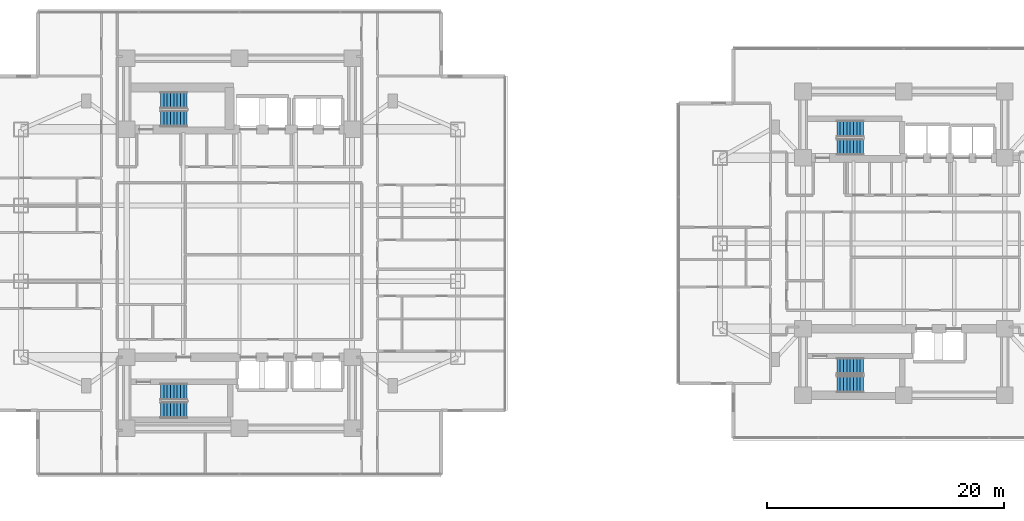
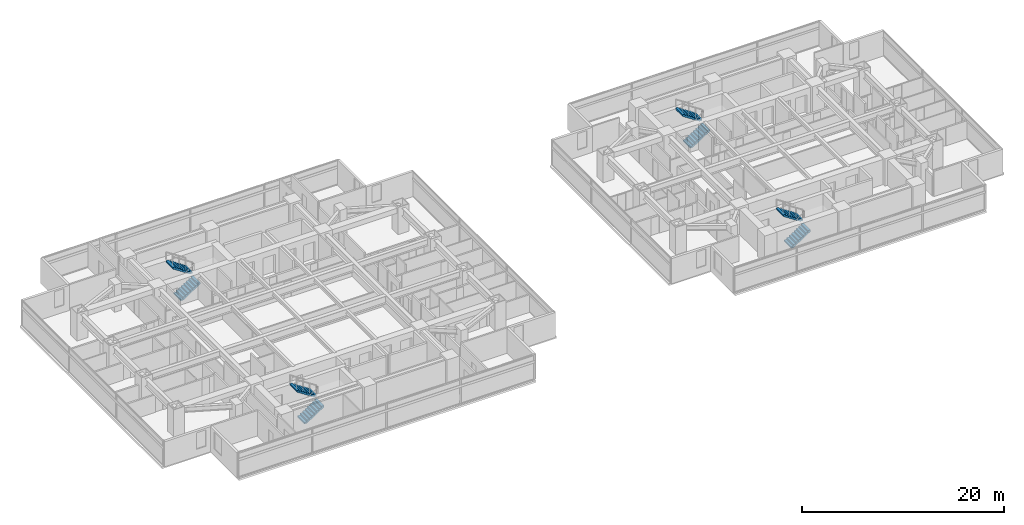
# One storey, part 21 of 26: 8 stair flights, 4 elements without a shape of their own.
"""IFC4 building model written with IfcOpenShell, lengths in metres."""

from ifc_helpers import new_model, si_unit, direction, frame, origin, place, context, subcontext, project, spatial, polyline, outline, extrude, material, type_object, element, aggregate, save


model = new_model("IFC4")

# Units and contexts
model_context = context("Model", 3, precision=1e-05, world=origin(), true_north=direction((0.0, 1.0)))
body_context = subcontext(model_context, "Body", "Model", "MODEL_VIEW")
ifc_project = project(units=[si_unit("LENGTHUNIT", "METRE"), si_unit("AREAUNIT", "SQUARE_METRE"), si_unit("VOLUMEUNIT", "CUBIC_METRE"), si_unit("PLANEANGLEUNIT", "RADIAN"), si_unit("MASSUNIT", "GRAM", prefix="KILO")], contexts=[model_context])

# Site, building, storey
site_placement = place(None, origin())
site = spatial("IfcSite", under=ifc_project, at=site_placement, CompositionType="ELEMENT")
building_placement = place(site_placement, origin())
building = spatial("IfcBuilding", under=site, at=building_placement, Name="Mirazonda Arch Towers", CompositionType="ELEMENT")
storey_placement = place(building_placement, frame((0.0, 0.0, 38.89990234375)))
storey = spatial("IfcBuildingStorey", under=building, at=storey_placement, Name="L10", CompositionType="ELEMENT", Elevation=38.89990234375)

# Stair, stair flights
ifc_material = material(Name="Concrete C40/50", Category="concrete")
stair_type = type_object("IfcStairType", Name="STAIR-CORE-1400", PredefinedType="HALF_TURN_STAIR", material=ifc_material)
stair_1_placement = place(storey_placement, origin())
stair_1 = element("IfcStair", 1, at=stair_1_placement, inside=storey, type_object=stair_type, Name="L10 Protected Exit Stair ST-T1N", PredefinedType="HALF_TURN_STAIR")
stair_flight_type = type_object("IfcStairFlightType", Name="FLIGHT-1400", PredefinedType="STRAIGHT", material=ifc_material)
stair_flight_1_placement = place(storey_placement, frame((13.85009765625, 38.52001953125, 0.0), z_axis=(0.0, 0.0, 1.0), x_axis=(1.0, 0.0, 0.0)))
stair_flight_1 = element("IfcStairFlight", 2, at=stair_flight_1_placement, type_object=stair_flight_type, Name="ST-T1N flight 1", NumberOfRisers=9, NumberOfTreads=8, PredefinedType="STRAIGHT", RiserHeight=0.183333333, TreadLength=0.28, context=body_context, shape_type="SweptSolid", body=[
    extrude(outline(polyline([(0.0, 0.0), (0.0, 0.183349609375), (0.280029296875, 0.183349609375), (0.280029296875, 0.36669921875), (0.56005859375, 0.36669921875), (0.56005859375, 0.550048828125), (0.840087890625, 0.550048828125), (0.840087890625, 0.7333984375), (1.1201171875, 0.7333984375), (1.1201171875, 0.916748046875), (1.39990234375, 0.916748046875), (1.39990234375, 1.10009765625), (1.679931640625, 1.10009765625), (1.679931640625, 1.283447265625), (1.9599609375, 1.283447265625), (1.9599609375, 1.466552734375), (2.239990234375, 1.466552734375), (2.239990234375, 1.64990234375), (2.239990234375, 1.275634765625), (0.2919921875, 0.0), (0.0, 0.0)])), frame((0.0, 0.699951171875, 0.0), z_axis=(0.0, -1.0, 0.0), x_axis=(1.0, 0.0, 0.0)), (0.0, 0.0, 1.0), 1.39990234375),
])
stair_flight_2_placement = place(storey_placement, frame((16.090087890625, 40.06005859375, 1.650146484375), z_axis=(0.0, 0.0, 1.0), x_axis=(-1.0, 0.0, 0.0)))
stair_flight_2 = element("IfcStairFlight", 3, at=stair_flight_2_placement, type_object=stair_flight_type, Name="ST-T1N flight 2", NumberOfRisers=9, NumberOfTreads=8, PredefinedType="STRAIGHT", RiserHeight=0.183333333, TreadLength=0.28, context=body_context, shape_type="SweptSolid", body=[
    extrude(outline(polyline([(0.0, 0.0), (0.0, 0.183349609375), (0.280029296875, 0.183349609375), (0.280029296875, 0.36669921875), (0.56005859375, 0.36669921875), (0.56005859375, 0.550048828125), (0.840087890625, 0.550048828125), (0.840087890625, 0.7333984375), (1.1201171875, 0.7333984375), (1.1201171875, 0.916748046875), (1.39990234375, 0.916748046875), (1.39990234375, 1.10009765625), (1.679931640625, 1.10009765625), (1.679931640625, 1.283447265625), (1.9599609375, 1.283447265625), (1.9599609375, 1.466552734375), (2.239990234375, 1.466552734375), (2.239990234375, 1.64990234375), (2.239990234375, 1.275634765625), (0.2919921875, 0.0), (0.0, 0.0)])), frame((0.0, 0.699951171875, 0.0), z_axis=(0.0, -1.0, 0.0), x_axis=(1.0, 0.0, 0.0)), (0.0, 0.0, 1.0), 1.39990234375),
])
aggregate(stair_1, [stair_flight_1, stair_flight_2])

stair_2_placement = place(storey_placement, origin())
stair_2 = element("IfcStair", 4, at=stair_2_placement, inside=storey, type_object=stair_type, Name="L10 Protected Exit Stair ST-T1S", PredefinedType="HALF_TURN_STAIR")
stair_flight_3_placement = place(storey_placement, frame((13.85009765625, 13.949951171875, 0.0), z_axis=(0.0, 0.0, 1.0), x_axis=(1.0, 0.0, 0.0)))
stair_flight_3 = element("IfcStairFlight", 5, at=stair_flight_3_placement, type_object=stair_flight_type, Name="ST-T1S flight 1", NumberOfRisers=9, NumberOfTreads=8, PredefinedType="STRAIGHT", RiserHeight=0.183333333, TreadLength=0.28, context=body_context, shape_type="SweptSolid", body=[
    extrude(outline(polyline([(0.0, 0.0), (0.0, 0.183349609375), (0.280029296875, 0.183349609375), (0.280029296875, 0.36669921875), (0.56005859375, 0.36669921875), (0.56005859375, 0.550048828125), (0.840087890625, 0.550048828125), (0.840087890625, 0.7333984375), (1.1201171875, 0.7333984375), (1.1201171875, 0.916748046875), (1.39990234375, 0.916748046875), (1.39990234375, 1.10009765625), (1.679931640625, 1.10009765625), (1.679931640625, 1.283447265625), (1.9599609375, 1.283447265625), (1.9599609375, 1.466552734375), (2.239990234375, 1.466552734375), (2.239990234375, 1.64990234375), (2.239990234375, 1.275634765625), (0.2919921875, 0.0), (0.0, 0.0)])), frame((0.0, 0.699951171875, 0.0), z_axis=(0.0, -1.0, 0.0), x_axis=(1.0, 0.0, 0.0)), (0.0, 0.0, 1.0), 1.39990234375),
])
stair_flight_4_placement = place(storey_placement, frame((16.090087890625, 15.489990234375, 1.650146484375), z_axis=(0.0, 0.0, 1.0), x_axis=(-1.0, 0.0, 0.0)))
stair_flight_4 = element("IfcStairFlight", 6, at=stair_flight_4_placement, type_object=stair_flight_type, Name="ST-T1S flight 2", NumberOfRisers=9, NumberOfTreads=8, PredefinedType="STRAIGHT", RiserHeight=0.183333333, TreadLength=0.28, context=body_context, shape_type="SweptSolid", body=[
    extrude(outline(polyline([(0.0, 0.0), (0.0, 0.183349609375), (0.280029296875, 0.183349609375), (0.280029296875, 0.36669921875), (0.56005859375, 0.36669921875), (0.56005859375, 0.550048828125), (0.840087890625, 0.550048828125), (0.840087890625, 0.7333984375), (1.1201171875, 0.7333984375), (1.1201171875, 0.916748046875), (1.39990234375, 0.916748046875), (1.39990234375, 1.10009765625), (1.679931640625, 1.10009765625), (1.679931640625, 1.283447265625), (1.9599609375, 1.283447265625), (1.9599609375, 1.466552734375), (2.239990234375, 1.466552734375), (2.239990234375, 1.64990234375), (2.239990234375, 1.275634765625), (0.2919921875, 0.0), (0.0, 0.0)])), frame((0.0, 0.699951171875, 0.0), z_axis=(0.0, -1.0, 0.0), x_axis=(1.0, 0.0, 0.0)), (0.0, 0.0, 1.0), 1.39990234375),
])
aggregate(stair_2, [stair_flight_3, stair_flight_4])

stair_3_placement = place(storey_placement, origin())
stair_3 = element("IfcStair", 7, at=stair_3_placement, inside=storey, type_object=stair_type, Name="L10 Protected Exit Stair ST-T2N", PredefinedType="HALF_TURN_STAIR")
stair_flight_5_placement = place(storey_placement, frame((70.85009765625, 36.1201171875, 0.0), z_axis=(0.0, 0.0, 1.0), x_axis=(1.0, 0.0, 0.0)))
stair_flight_5 = element("IfcStairFlight", 8, at=stair_flight_5_placement, type_object=stair_flight_type, Name="ST-T2N flight 1", NumberOfRisers=9, NumberOfTreads=8, PredefinedType="STRAIGHT", RiserHeight=0.183333333, TreadLength=0.28, context=body_context, shape_type="SweptSolid", body=[
    extrude(outline(polyline([(0.0, 0.0), (0.0, 0.183349609375), (0.280029296875, 0.183349609375), (0.280029296875, 0.36669921875), (0.56005859375, 0.36669921875), (0.56005859375, 0.550048828125), (0.840087890625, 0.550048828125), (0.840087890625, 0.7333984375), (1.1201171875, 0.7333984375), (1.1201171875, 0.916748046875), (1.39990234375, 0.916748046875), (1.39990234375, 1.10009765625), (1.679931640625, 1.10009765625), (1.679931640625, 1.283447265625), (1.9599609375, 1.283447265625), (1.9599609375, 1.466552734375), (2.239990234375, 1.466552734375), (2.239990234375, 1.64990234375), (2.239990234375, 1.275634765625), (0.2919921875, 0.0), (0.0, 0.0)])), frame((0.0, 0.699951171875, 0.0), z_axis=(0.0, -1.0, 0.0), x_axis=(1.0, 0.0, 0.0)), (0.0, 0.0, 1.0), 1.39990234375),
])
stair_flight_6_placement = place(storey_placement, frame((73.090087890625, 37.659912109375, 1.650146484375), z_axis=(0.0, 0.0, 1.0), x_axis=(-1.0, 0.0, 0.0)))
stair_flight_6 = element("IfcStairFlight", 9, at=stair_flight_6_placement, type_object=stair_flight_type, Name="ST-T2N flight 2", NumberOfRisers=9, NumberOfTreads=8, PredefinedType="STRAIGHT", RiserHeight=0.183333333, TreadLength=0.28, context=body_context, shape_type="SweptSolid", body=[
    extrude(outline(polyline([(0.0, 0.0), (0.0, 0.183349609375), (0.280029296875, 0.183349609375), (0.280029296875, 0.36669921875), (0.56005859375, 0.36669921875), (0.56005859375, 0.550048828125), (0.840087890625, 0.550048828125), (0.840087890625, 0.7333984375), (1.1201171875, 0.7333984375), (1.1201171875, 0.916748046875), (1.39990234375, 0.916748046875), (1.39990234375, 1.10009765625), (1.679931640625, 1.10009765625), (1.679931640625, 1.283447265625), (1.9599609375, 1.283447265625), (1.9599609375, 1.466552734375), (2.239990234375, 1.466552734375), (2.239990234375, 1.64990234375), (2.239990234375, 1.275634765625), (0.2919921875, 0.0), (0.0, 0.0)])), frame((0.0, 0.699951171875, 0.0), z_axis=(0.0, -1.0, 0.0), x_axis=(1.0, 0.0, 0.0)), (0.0, 0.0, 1.0), 1.39990234375),
])
aggregate(stair_3, [stair_flight_5, stair_flight_6])

stair_4_placement = place(storey_placement, origin())
stair_4 = element("IfcStair", 10, at=stair_4_placement, inside=storey, type_object=stair_type, Name="L10 Protected Exit Stair ST-T2S", PredefinedType="HALF_TURN_STAIR")
stair_flight_7_placement = place(storey_placement, frame((70.85009765625, 16.1201171875, 0.0), z_axis=(0.0, 0.0, 1.0), x_axis=(1.0, 0.0, 0.0)))
stair_flight_7 = element("IfcStairFlight", 11, at=stair_flight_7_placement, type_object=stair_flight_type, Name="ST-T2S flight 1", NumberOfRisers=9, NumberOfTreads=8, PredefinedType="STRAIGHT", RiserHeight=0.183333333, TreadLength=0.28, context=body_context, shape_type="SweptSolid", body=[
    extrude(outline(polyline([(0.0, 0.0), (0.0, 0.183349609375), (0.280029296875, 0.183349609375), (0.280029296875, 0.36669921875), (0.56005859375, 0.36669921875), (0.56005859375, 0.550048828125), (0.840087890625, 0.550048828125), (0.840087890625, 0.7333984375), (1.1201171875, 0.7333984375), (1.1201171875, 0.916748046875), (1.39990234375, 0.916748046875), (1.39990234375, 1.10009765625), (1.679931640625, 1.10009765625), (1.679931640625, 1.283447265625), (1.9599609375, 1.283447265625), (1.9599609375, 1.466552734375), (2.239990234375, 1.466552734375), (2.239990234375, 1.64990234375), (2.239990234375, 1.275634765625), (0.2919921875, 0.0), (0.0, 0.0)])), frame((0.0, 0.699951171875, 0.0), z_axis=(0.0, -1.0, 0.0), x_axis=(1.0, 0.0, 0.0)), (0.0, 0.0, 1.0), 1.39990234375),
])
stair_flight_8_placement = place(storey_placement, frame((73.090087890625, 17.659912109375, 1.650146484375), z_axis=(0.0, 0.0, 1.0), x_axis=(-1.0, 0.0, 0.0)))
stair_flight_8 = element("IfcStairFlight", 12, at=stair_flight_8_placement, type_object=stair_flight_type, Name="ST-T2S flight 2", NumberOfRisers=9, NumberOfTreads=8, PredefinedType="STRAIGHT", RiserHeight=0.183333333, TreadLength=0.28, context=body_context, shape_type="SweptSolid", body=[
    extrude(outline(polyline([(0.0, 0.0), (0.0, 0.183349609375), (0.280029296875, 0.183349609375), (0.280029296875, 0.36669921875), (0.56005859375, 0.36669921875), (0.56005859375, 0.550048828125), (0.840087890625, 0.550048828125), (0.840087890625, 0.7333984375), (1.1201171875, 0.7333984375), (1.1201171875, 0.916748046875), (1.39990234375, 0.916748046875), (1.39990234375, 1.10009765625), (1.679931640625, 1.10009765625), (1.679931640625, 1.283447265625), (1.9599609375, 1.283447265625), (1.9599609375, 1.466552734375), (2.239990234375, 1.466552734375), (2.239990234375, 1.64990234375), (2.239990234375, 1.275634765625), (0.2919921875, 0.0), (0.0, 0.0)])), frame((0.0, 0.699951171875, 0.0), z_axis=(0.0, -1.0, 0.0), x_axis=(1.0, 0.0, 0.0)), (0.0, 0.0, 1.0), 1.39990234375),
])
aggregate(stair_4, [stair_flight_7, stair_flight_8])

save(model, "model.ifc")
